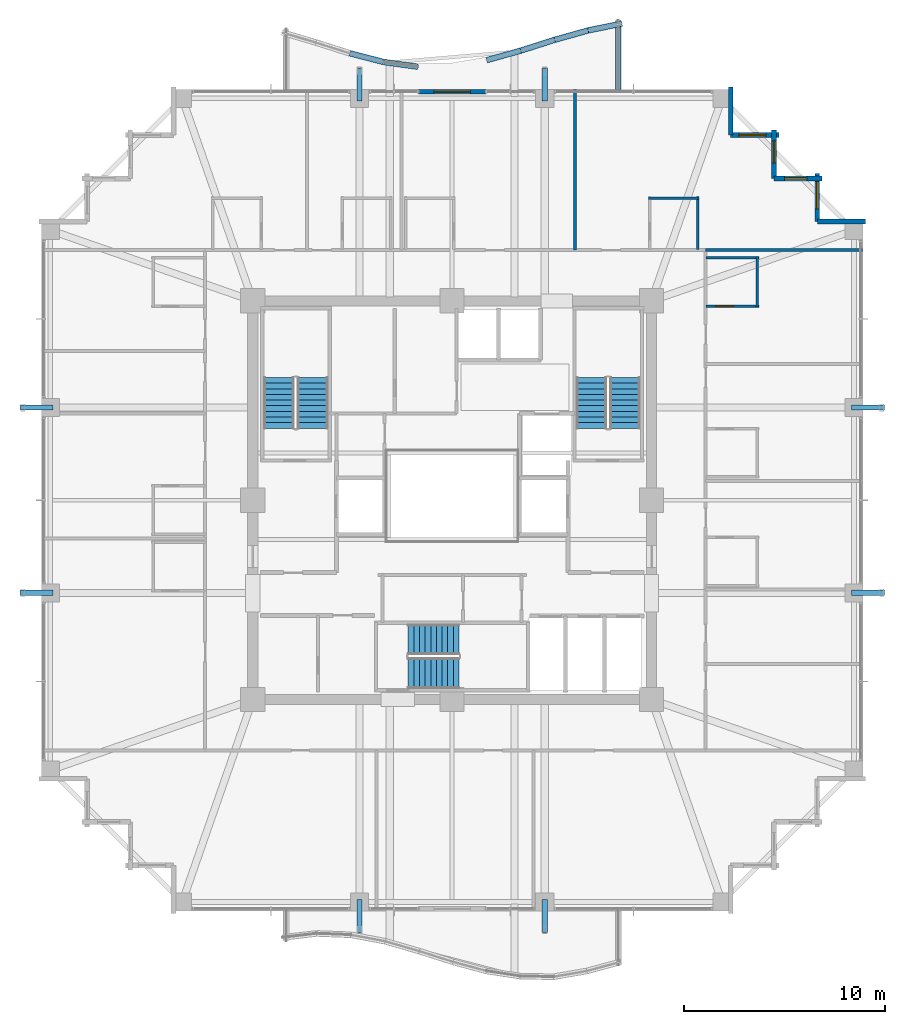
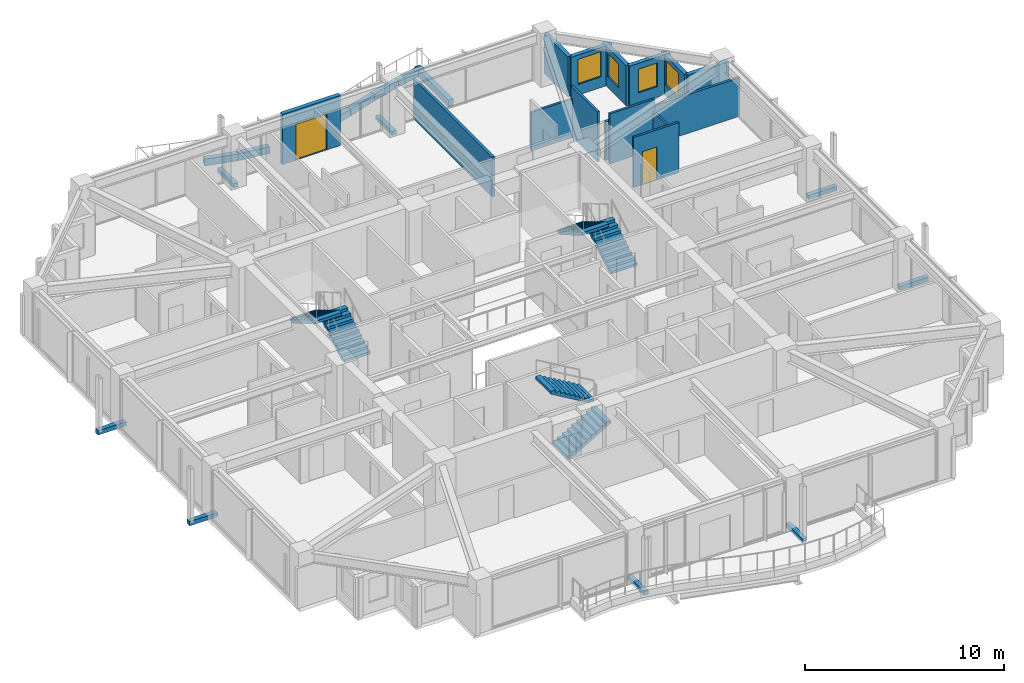
# One storey, part 35 of 37: 21 walls, 8 discrete accessories, 6 stair flights, 4 windows, 2 doors, 6 openings, 3 elements without a shape of their own.
"""IFC4 building model written with IfcOpenShell, lengths in metres."""

from ifc_helpers import new_model, si_unit, direction, frame, frame_2d, origin, origin_2d, place, context, subcontext, project, spatial, polyline, rectangle, outline, extrude, material, layer, layer_set, type_object, element, fill, aggregate, save


model = new_model("IFC4")

# Units and contexts
model_context = context("Model", 3, precision=1e-05, world=origin(), true_north=direction((0.0, 1.0)))
body_context = subcontext(model_context, "Body", "Model", "MODEL_VIEW")
ifc_project = project(units=[si_unit("LENGTHUNIT", "METRE"), si_unit("AREAUNIT", "SQUARE_METRE"), si_unit("VOLUMEUNIT", "CUBIC_METRE"), si_unit("PLANEANGLEUNIT", "RADIAN"), si_unit("MASSUNIT", "GRAM", prefix="KILO")], contexts=[model_context])

# Site, building, storey
site_placement = place(None, origin())
site = spatial("IfcSite", under=ifc_project, at=site_placement, CompositionType="ELEMENT")
building_placement = place(site_placement, origin())
building = spatial("IfcBuilding", under=site, at=building_placement, Name="Kolvaren Belvedere", CompositionType="ELEMENT")
storey_placement = place(building_placement, frame((0.0, 0.0, 180.0)))
storey = spatial("IfcBuildingStorey", under=building, at=storey_placement, Name="L52", CompositionType="ELEMENT", Elevation=180.0)

# Wall
ifc_material_1 = material(Name="Insulated pale-metal facade wall assembly", Category="aluminium")
ifc_layer_1 = layer(ifc_material_1, 0.239990234375)
ifc_layer_set_1 = layer_set([ifc_layer_1], Name="Insulated pale-metal facade wall assembly")
wall_type_1 = type_object("IfcWallType", Name="WL-EXT-240", PredefinedType="STANDARD", material=ifc_layer_set_1)
wall_1_placement = place(storey_placement, frame((18.1298828125, 13.830078125, 0.0), z_axis=(0.0, 0.0, 1.0), x_axis=(1.0, 0.0, 0.0)))
element("IfcWall", 1, at=wall_1_placement, inside=storey, type_object=wall_type_1, Name="L52 Serrated Corner Facade Wall 9", PredefinedType="STANDARD", context=body_context, shape_type="SweptSolid", body=[
    extrude(rectangle(XDim=2.39013671875, YDim=0.239990234375, at=frame_2d((1.195068359375, 0.0))), origin(), (0.0, 0.0, 1.0), 2.462890625),
])

# Wall, opening, window
wall_2_placement = place(storey_placement, frame((18.1298828125, 16.219970703125, 0.0), z_axis=(0.0, 0.0, 1.0), x_axis=(0.0, -1.0, 0.0)))
wall_2 = element("IfcWall", 2, at=wall_2_placement, inside=storey, type_object=wall_type_1, Name="L52 Serrated Corner Facade Wall 10", PredefinedType="STANDARD", context=body_context, shape_type="SweptSolid", body=[
    extrude(rectangle(XDim=2.389892578125, YDim=0.239990234375, at=frame_2d((1.19482421875, 0.0))), origin(), (0.0, 0.0, 1.0), 2.462890625),
])
opening_1_placement = place(wall_2_placement, frame((0.39990234375, 0.0, 0.64990234375)))
opening_1 = element("IfcOpeningElement", 3, at=opening_1_placement, cuts=wall_2, Name="Opening W-1350", PredefinedType="OPENING", context=body_context, shape_type="SweptSolid", body=[
    extrude(rectangle(XDim=1.35009765625, YDim=1.550048828125, at=frame_2d((0.675048828125, 0.77490234375))), frame((0.0, 0.1298828125, 0.0), z_axis=(0.0, -1.0, 0.0), x_axis=(1.0, 0.0, 0.0)), (0.0, 0.0, 1.0), 0.260009765625),
])
ifc_material_2 = material(Name="Low-iron triple insulated glass", Category="glass")
window_type_1 = type_object("IfcWindowType", Name="WN-CORN-1350", PartitioningType="SINGLE_PANEL", PredefinedType="WINDOW", material=ifc_material_2)
window_1_placement = place(opening_1_placement, origin())
window_1 = element("IfcWindow", 4, at=window_1_placement, inside=storey, type_object=window_type_1, Name="L52 Serrated Corner Vision Window 10", OverallHeight=1.550048828125, OverallWidth=1.35009765625, PartitioningType="SINGLE_PANEL", PredefinedType="WINDOW", context=body_context, shape_type="SweptSolid", body=[
    extrude(rectangle(XDim=1.35009765625, YDim=1.550048828125, at=frame_2d((0.675048828125, 0.77490234375))), frame((0.0, 0.030029296875, 0.0), z_axis=(0.0, -1.0, 0.0), x_axis=(1.0, 0.0, 0.0)), (0.0, 0.0, 1.0), 0.06005859375),
])
fill(opening_1, window_1)

wall_3_placement = place(storey_placement, frame((15.97998046875, 15.97998046875, 0.0), z_axis=(0.0, 0.0, 1.0), x_axis=(1.0, 0.0, 0.0)))
wall_3 = element("IfcWall", 5, at=wall_3_placement, inside=storey, type_object=wall_type_1, Name="L52 Serrated Corner Facade Wall 11", PredefinedType="STANDARD", context=body_context, shape_type="SweptSolid", body=[
    extrude(rectangle(XDim=2.39013671875, YDim=0.239990234375, at=frame_2d((1.195068359375, 0.0))), origin(), (0.0, 0.0, 1.0), 2.462890625),
])
opening_2_placement = place(wall_3_placement, frame((0.52490234375, 0.0, 0.64990234375)))
opening_2 = element("IfcOpeningElement", 6, at=opening_2_placement, cuts=wall_3, Name="Opening W-1100", PredefinedType="OPENING", context=body_context, shape_type="SweptSolid", body=[
    extrude(rectangle(XDim=1.10009765625, YDim=1.449951171875, at=frame_2d((0.550048828125, 0.72509765625))), frame((0.0, 0.1298828125, 0.0), z_axis=(0.0, -1.0, 0.0), x_axis=(1.0, 0.0, 0.0)), (0.0, 0.0, 1.0), 0.260009765625),
])
ifc_material_3 = material(Name="Low-iron triple insulated glass", Category="glass")
window_type_2 = type_object("IfcWindowType", Name="WN-CORN-1100", PartitioningType="SINGLE_PANEL", PredefinedType="WINDOW", material=ifc_material_3)
window_2_placement = place(opening_2_placement, origin())
window_2 = element("IfcWindow", 7, at=window_2_placement, inside=storey, type_object=window_type_2, Name="L52 Serrated Corner Vision Window 11", OverallHeight=1.449951171875, OverallWidth=1.10009765625, PartitioningType="SINGLE_PANEL", PredefinedType="WINDOW", context=body_context, shape_type="SweptSolid", body=[
    extrude(rectangle(XDim=1.10009765625, YDim=1.449951171875, at=frame_2d((0.550048828125, 0.72509765625))), frame((0.0, 0.030029296875, 0.0), z_axis=(0.0, -1.0, 0.0), x_axis=(1.0, 0.0, 0.0)), (0.0, 0.0, 1.0), 0.06005859375),
])
fill(opening_2, window_2)

wall_4_placement = place(storey_placement, frame((15.97998046875, 18.3701171875, 0.0), z_axis=(0.0, 0.0, 1.0), x_axis=(0.0, -1.0, 0.0)))
wall_4 = element("IfcWall", 8, at=wall_4_placement, inside=storey, type_object=wall_type_1, Name="L52 Serrated Corner Facade Wall 12", PredefinedType="STANDARD", context=body_context, shape_type="SweptSolid", body=[
    extrude(rectangle(XDim=2.39013671875, YDim=0.239990234375, at=frame_2d((1.195068359375, 0.0))), origin(), (0.0, 0.0, 1.0), 2.462890625),
])
opening_3_placement = place(wall_4_placement, frame((0.52490234375, 0.0, 0.64990234375)))
opening_3 = element("IfcOpeningElement", 9, at=opening_3_placement, cuts=wall_4, Name="Opening W-1100", PredefinedType="OPENING", context=body_context, shape_type="SweptSolid", body=[
    extrude(rectangle(XDim=1.10009765625, YDim=1.449951171875, at=frame_2d((0.550048828125, 0.72509765625))), frame((0.0, 0.1298828125, 0.0), z_axis=(0.0, -1.0, 0.0), x_axis=(1.0, 0.0, 0.0)), (0.0, 0.0, 1.0), 0.260009765625),
])
window_3_placement = place(opening_3_placement, origin())
window_3 = element("IfcWindow", 10, at=window_3_placement, inside=storey, type_object=window_type_2, Name="L52 Serrated Corner Vision Window 12", OverallHeight=1.449951171875, OverallWidth=1.10009765625, PartitioningType="SINGLE_PANEL", PredefinedType="WINDOW", context=body_context, shape_type="SweptSolid", body=[
    extrude(rectangle(XDim=1.10009765625, YDim=1.449951171875, at=frame_2d((0.550048828125, 0.72509765625))), frame((0.0, 0.030029296875, 0.0), z_axis=(0.0, -1.0, 0.0), x_axis=(1.0, 0.0, 0.0)), (0.0, 0.0, 1.0), 0.06005859375),
])
fill(opening_3, window_3)

wall_5_placement = place(storey_placement, frame((13.830078125, 18.1298828125, 0.0), z_axis=(0.0, 0.0, 1.0), x_axis=(1.0, 0.0, 0.0)))
wall_5 = element("IfcWall", 11, at=wall_5_placement, inside=storey, type_object=wall_type_1, Name="L52 Serrated Corner Facade Wall 13", PredefinedType="STANDARD", context=body_context, shape_type="SweptSolid", body=[
    extrude(rectangle(XDim=2.389892578125, YDim=0.239990234375, at=frame_2d((1.19482421875, 0.0))), origin(), (0.0, 0.0, 1.0), 2.462890625),
])
opening_4_placement = place(wall_5_placement, frame((0.39990234375, 0.0, 0.64990234375)))
opening_4 = element("IfcOpeningElement", 12, at=opening_4_placement, cuts=wall_5, Name="Opening W-1350", PredefinedType="OPENING", context=body_context, shape_type="SweptSolid", body=[
    extrude(rectangle(XDim=1.35009765625, YDim=1.550048828125, at=frame_2d((0.675048828125, 0.77490234375))), frame((0.0, 0.1298828125, 0.0), z_axis=(0.0, -1.0, 0.0), x_axis=(1.0, 0.0, 0.0)), (0.0, 0.0, 1.0), 0.260009765625),
])
window_4_placement = place(opening_4_placement, origin())
window_4 = element("IfcWindow", 13, at=window_4_placement, inside=storey, type_object=window_type_1, Name="L52 Serrated Corner Vision Window 13", OverallHeight=1.550048828125, OverallWidth=1.35009765625, PartitioningType="SINGLE_PANEL", PredefinedType="WINDOW", context=body_context, shape_type="SweptSolid", body=[
    extrude(rectangle(XDim=1.35009765625, YDim=1.550048828125, at=frame_2d((0.675048828125, 0.77490234375))), frame((0.0, 0.030029296875, 0.0), z_axis=(0.0, -1.0, 0.0), x_axis=(1.0, 0.0, 0.0)), (0.0, 0.0, 1.0), 0.06005859375),
])
fill(opening_4, window_4)

# Wall
wall_6_placement = place(storey_placement, frame((13.830078125, 20.52001953125, 0.0), z_axis=(0.0, 0.0, 1.0), x_axis=(0.0, -1.0, 0.0)))
element("IfcWall", 14, at=wall_6_placement, inside=storey, type_object=wall_type_1, Name="L52 Serrated Corner Facade Wall 14", PredefinedType="STANDARD", context=body_context, shape_type="SweptSolid", body=[
    extrude(rectangle(XDim=2.39013671875, YDim=0.239990234375, at=frame_2d((1.195068359375, 0.0))), origin(), (0.0, 0.0, 1.0), 2.462890625),
])

# Wall, opening, door
wall_7_placement = place(storey_placement, frame((-1.679931640625, 20.280029296875, 0.0), z_axis=(0.0, 0.0, 1.0), x_axis=(1.0, 0.0, 0.0)))
wall_7 = element("IfcWall", 15, at=wall_7_placement, inside=storey, type_object=wall_type_1, Name="L52 North Terrace Portal Wall", PredefinedType="STANDARD", context=body_context, shape_type="SweptSolid", body=[
    extrude(rectangle(XDim=3.35986328125, YDim=0.239990234375, at=frame_2d((1.679931640625, 0.0))), origin(), (0.0, 0.0, 1.0), 3.080078125),
])
opening_5_placement = place(wall_7_placement, frame((0.780029296875, 0.0, 0.0)))
opening_5 = element("IfcOpeningElement", 16, at=opening_5_placement, cuts=wall_7, Name="Opening DB-1800", PredefinedType="OPENING", context=body_context, shape_type="SweptSolid", body=[
    extrude(rectangle(XDim=1.800048828125, YDim=2.199951171875, at=frame_2d((0.89990234375, 1.10009765625))), frame((0.0, 0.1298828125, 0.0), z_axis=(0.0, -1.0, 0.0), x_axis=(1.0, 0.0, 0.0)), (0.0, 0.0, 1.0), 0.260009765625),
])
ifc_material_4 = material(Name="Thermally broken pale-metal aluminium & low-iron glass", Category="aluminium")
door_type_1 = type_object("IfcDoorType", Name="DR-BAL-1800", OperationType="DOUBLE_DOOR_SLIDING", PredefinedType="DOOR", material=ifc_material_4)
door_1_placement = place(opening_5_placement, origin())
door_1 = element("IfcDoor", 17, at=door_1_placement, inside=storey, type_object=door_type_1, Name="L52 North Planted Terrace Sliding Door", OperationType="DOUBLE_DOOR_SLIDING", OverallHeight=2.199951171875, OverallWidth=1.800048828125, PredefinedType="DOOR", context=body_context, shape_type="SweptSolid", body=[
    extrude(rectangle(XDim=1.800048828125, YDim=2.199951171875, at=frame_2d((0.89990234375, 1.10009765625))), frame((0.0, 0.02490234375, 0.0), z_axis=(0.0, -1.0, 0.0), x_axis=(1.0, 0.0, 0.0)), (0.0, 0.0, 1.0), 0.050048828125),
])
fill(opening_5, door_1)

# Walls
ifc_material_5 = material(Name="Gypsum acoustic partition assembly", Category="gypsum")
ifc_layer_2 = layer(ifc_material_5, 0.14990234375)
ifc_layer_set_2 = layer_set([ifc_layer_2], Name="Gypsum acoustic partition assembly")
wall_type_2 = type_object("IfcWallType", Name="WL-PART-150", PredefinedType="PARTITIONING", material=ifc_layer_set_2)
wall_8_placement = place(storey_placement, frame((12.580078125, 12.419921875, 0.0), z_axis=(0.0, 0.0, 1.0), x_axis=(1.0, 0.0, 0.0)))
element("IfcWall", 18, at=wall_8_placement, inside=storey, type_object=wall_type_2, Name="L52 Wing Divider PW-L52-QNE", PredefinedType="PARTITIONING", context=body_context, shape_type="SweptSolid", body=[
    extrude(rectangle(XDim=7.7998046875, YDim=0.14990234375, at=frame_2d((3.89990234375, 0.0))), origin(), (0.0, 0.0, 1.0), 2.368896484375),
])
wall_9_placement = place(storey_placement, frame((6.095947265625, 12.419921875, 0.0), z_axis=(0.0, 0.0, 1.0), x_axis=(0.0, 1.0, 0.0)))
element("IfcWall", 19, at=wall_9_placement, inside=storey, type_object=wall_type_2, Name="L52 North Suite Demising Wall 3", PredefinedType="PARTITIONING", context=body_context, shape_type="SweptSolid", body=[
    extrude(rectangle(XDim=7.9599609375, YDim=0.14990234375, at=frame_2d((3.97998046875, 0.0))), origin(), (0.0, 0.0, 1.0), 2.452880859375),
])
ifc_material_6 = material(Name="Precast concrete C40/50", Category="concrete")
ifc_layer_3 = layer(ifc_material_6, 0.300048828125)
ifc_layer_set_3 = layer_set([ifc_layer_3], Name="Precast concrete C40/50")
wall_type_3 = type_object("IfcWallType", Name="WL-PLANTER-300", PredefinedType="PARAPET", material=ifc_layer_set_3)
wall_10_placement = place(storey_placement, frame((8.239990234375, 20.39990234375, -0.0400390625), z_axis=(0.0, 0.0, 1.0), x_axis=(0.0, 1.0, 0.0)))
element("IfcWall", 20, at=wall_10_placement, inside=storey, type_object=wall_type_3, Name="L52 Precast Structural Planter Wall BAL-N-11", PredefinedType="PARAPET", context=body_context, shape_type="SweptSolid", body=[
    extrude(rectangle(XDim=3.420166015625, YDim=0.280029296875, at=frame_2d((1.7099609375, 0.0))), origin(), (0.0, 0.0, 1.0), 0.419921875),
])
wall_11_placement = place(storey_placement, frame((8.431884765625, 23.6630859375, -0.0400390625), z_axis=(0.0, 0.0, 1.0), x_axis=(-0.980067977123, -0.198662427795, 0.0)))
element("IfcWall", 21, at=wall_11_placement, inside=storey, type_object=wall_type_3, Name="L52 Precast Structural Planter Wall BAL-N-12", PredefinedType="PARAPET", context=body_context, shape_type="SweptSolid", body=[
    extrude(rectangle(XDim=1.71435546875, YDim=0.280029296875, at=frame_2d((0.857177734375, 0.0))), origin(), (0.0, 0.0, 1.0), 0.419921875),
])
wall_12_placement = place(storey_placement, frame((6.76318359375, 23.3251953125, -0.0400390625), z_axis=(0.0, 0.0, 1.0), x_axis=(-0.962916043401, -0.269801210823, 0.0)))
element("IfcWall", 22, at=wall_12_placement, inside=storey, type_object=wall_type_3, Name="L52 Precast Structural Planter Wall BAL-N-13", PredefinedType="PARAPET", context=body_context, shape_type="SweptSolid", body=[
    extrude(rectangle(XDim=1.74462890625, YDim=0.280029296875, at=frame_2d((0.872314453125, 0.0))), origin(), (0.0, 0.0, 1.0), 0.419921875),
])
wall_13_placement = place(storey_placement, frame((5.088623046875, 22.856201171875, -0.0400390625), z_axis=(0.0, 0.0, 1.0), x_axis=(-0.952501264923, -0.304534629099, 0.0)))
element("IfcWall", 23, at=wall_13_placement, inside=storey, type_object=wall_type_3, Name="L52 Precast Structural Planter Wall BAL-N-14", PredefinedType="PARAPET", context=body_context, shape_type="SweptSolid", body=[
    extrude(rectangle(XDim=1.763671875, YDim=0.280029296875, at=frame_2d((0.8818359375, 0.0))), origin(), (0.0, 0.0, 1.0), 0.419921875),
])
wall_14_placement = place(storey_placement, frame((3.4033203125, 22.3173828125, -0.0400390625), z_axis=(0.0, 0.0, 1.0), x_axis=(-0.962926227834, -0.269764860108, 0.0)))
element("IfcWall", 24, at=wall_14_placement, inside=storey, type_object=wall_type_3, Name="L52 Precast Structural Planter Wall BAL-N-15", PredefinedType="PARAPET", context=body_context, shape_type="SweptSolid", body=[
    extrude(rectangle(XDim=1.744873046875, YDim=0.280029296875, at=frame_2d((0.87255859375, 0.0))), origin(), (0.0, 0.0, 1.0), 0.419921875),
])
wall_15_placement = place(storey_placement, frame((-1.70166015625, 21.5205078125, -0.0400390625), z_axis=(0.0, 0.0, 1.0), x_axis=(-0.990855562068, 0.134926850989, 0.0)))
element("IfcWall", 25, at=wall_15_placement, inside=storey, type_object=wall_type_3, Name="L52 Precast Structural Planter Wall BAL-N-18", PredefinedType="PARAPET", context=body_context, shape_type="SweptSolid", body=[
    extrude(rectangle(XDim=1.695556640625, YDim=0.280029296875, at=frame_2d((0.84765625, 0.0))), origin(), (0.0, 0.0, 1.0), 0.419921875),
])
wall_16_placement = place(storey_placement, frame((-3.400146484375, 21.7529296875, -0.0400390625), z_axis=(0.0, 0.0, 1.0), x_axis=(-0.968132209145, 0.250439664624, 0.0)))
element("IfcWall", 26, at=wall_16_placement, inside=storey, type_object=wall_type_3, Name="L52 Precast Structural Planter Wall BAL-N-19", PredefinedType="PARAPET", context=body_context, shape_type="SweptSolid", body=[
    extrude(rectangle(XDim=1.7353515625, YDim=0.280029296875, at=frame_2d((0.86767578125, 0.0))), origin(), (0.0, 0.0, 1.0), 0.419921875),
])

# Wall, opening, door
ifc_material_7 = material(Name="Moisture-resistant gypsum partition", Category="gypsum")
ifc_layer_4 = layer(ifc_material_7, 0.125)
ifc_layer_set_4 = layer_set([ifc_layer_4], Name="Moisture-resistant gypsum partition")
wall_type_4 = type_object("IfcWallType", Name="WL-WET-125", PredefinedType="PARTITIONING", material=ifc_layer_set_4)
wall_17_placement = place(storey_placement, frame((12.594970703125, 9.64111328125, 0.0), z_axis=(0.0, 0.0, 1.0), x_axis=(1.0, 0.0, 0.0)))
wall_17 = element("IfcWall", 27, at=wall_17_placement, inside=storey, type_object=wall_type_4, Name="L52 Bathroom Partition PW-L52-BTH-8-N", PredefinedType="PARTITIONING", context=body_context, shape_type="SweptSolid", body=[
    extrude(rectangle(XDim=2.64013671875, YDim=0.125, at=frame_2d((1.320068359375, 0.0))), origin(), (0.0, 0.0, 1.0), 3.080078125),
])
opening_6_placement = place(wall_17_placement, frame((0.5, 0.0, 0.0)))
opening_6 = element("IfcOpeningElement", 28, at=opening_6_placement, cuts=wall_17, Name="Opening D-BTH85", PredefinedType="OPENING", context=body_context, shape_type="SweptSolid", body=[
    extrude(rectangle(XDim=0.85009765625, YDim=2.030029296875, at=frame_2d((0.425048828125, 1.01513671875))), frame((0.0, 0.072509765625, 0.0), z_axis=(0.0, -1.0, 0.0), x_axis=(1.0, 0.0, 0.0)), (0.0, 0.0, 1.0), 0.14501953125),
])
ifc_material_8 = material(Name="Moisture-sealed Pacific white oak", Category="timber")
door_type_2 = type_object("IfcDoorType", Name="DR-BATH-850", OperationType="NOTDEFINED", PredefinedType="DOOR", material=ifc_material_8)
door_2_placement = place(opening_6_placement, origin())
door_2 = element("IfcDoor", 29, at=door_2_placement, inside=storey, type_object=door_type_2, Name="L52 En-Suite Bathroom 5208 Door", OperationType="SINGLE_SWING_LEFT", OverallHeight=2.030029296875, OverallWidth=0.85009765625, PredefinedType="DOOR", context=body_context, shape_type="SweptSolid", body=[
    extrude(rectangle(XDim=0.85009765625, YDim=2.030029296875, at=frame_2d((0.425048828125, 1.01513671875))), frame((0.0, 0.02490234375, 0.0), z_axis=(0.0, -1.0, 0.0), x_axis=(1.0, 0.0, 0.0)), (0.0, 0.0, 1.0), 0.050048828125),
])
fill(opening_6, door_2)

# Walls
wall_18_placement = place(storey_placement, frame((15.155029296875, 9.5810546875, 0.0), z_axis=(0.0, 0.0, 1.0), x_axis=(0.0, 1.0, 0.0)))
element("IfcWall", 30, at=wall_18_placement, inside=storey, type_object=wall_type_4, Name="L52 Bathroom Partition PW-L52-BTH-8-V", PredefinedType="PARTITIONING", context=body_context, shape_type="SweptSolid", body=[
    extrude(rectangle(XDim=2.52001953125, YDim=0.125, at=frame_2d((1.260009765625, 0.0))), origin(), (0.0, 0.0, 1.0), 2.368896484375),
])
wall_19_placement = place(storey_placement, frame((12.594970703125, 12.041015625, 0.0), z_axis=(0.0, 0.0, 1.0), x_axis=(1.0, 0.0, 0.0)))
element("IfcWall", 31, at=wall_19_placement, inside=storey, type_object=wall_type_4, Name="L52 Bathroom Partition PW-L52-BTH-8-S", PredefinedType="PARTITIONING", context=body_context, shape_type="SweptSolid", body=[
    extrude(rectangle(XDim=2.64013671875, YDim=0.125, at=frame_2d((1.320068359375, 0.0))), origin(), (0.0, 0.0, 1.0), 3.080078125),
])
wall_20_placement = place(storey_placement, frame((9.740966796875, 14.9951171875, 0.0), z_axis=(0.0, 0.0, 1.0), x_axis=(1.0, 0.0, 0.0)))
element("IfcWall", 32, at=wall_20_placement, inside=storey, type_object=wall_type_4, Name="L52 Bathroom Partition PW-L52-BTH-16-H", PredefinedType="PARTITIONING", context=body_context, shape_type="SweptSolid", body=[
    extrude(rectangle(XDim=2.52001953125, YDim=0.125, at=frame_2d((1.260009765625, 0.0))), origin(), (0.0, 0.0, 1.0), 2.368896484375),
])
wall_21_placement = place(storey_placement, frame((12.200927734375, 12.43505859375, 0.0), z_axis=(0.0, 0.0, 1.0), x_axis=(0.0, 1.0, 0.0)))
element("IfcWall", 33, at=wall_21_placement, inside=storey, type_object=wall_type_4, Name="L52 Bathroom Partition PW-L52-BTH-16-W", PredefinedType="PARTITIONING", context=body_context, shape_type="SweptSolid", body=[
    extrude(rectangle(XDim=2.639892578125, YDim=0.125, at=frame_2d((1.31982421875, 0.0))), origin(), (0.0, 0.0, 1.0), 3.080078125),
])

# Stair, stair flights
ifc_material_9 = material(Name="Concrete C50/60", Category="concrete")
stair_type = type_object("IfcStairType", Name="ST-CORE-1520", PredefinedType="HALF_TURN_STAIR", material=ifc_material_9)
stair_1_placement = place(storey_placement, origin())
stair_1 = element("IfcStair", 34, at=stair_1_placement, inside=storey, type_object=stair_type, Name="L52 Protected Exit Stair ST-1", PredefinedType="HALF_TURN_STAIR")
ifc_material_10 = material(Name="Concrete C50/60", Category="concrete")
stair_flight_type = type_object("IfcStairFlightType", Name="SF-STR-1520", PredefinedType="STRAIGHT", material=ifc_material_10)
stair_flight_1_placement = place(storey_placement, frame((-6.919921875, 3.570068359375, 0.0), z_axis=(0.0, 0.0, 1.0), x_axis=(0.0, 1.0, 0.0)))
stair_flight_1 = element("IfcStairFlight", 35, at=stair_flight_1_placement, type_object=stair_flight_type, Name="ST-1 flight 1", NumberOfRisers=10, NumberOfTreads=9, PredefinedType="STRAIGHT", RiserHeight=0.165, TreadLength=0.28, context=body_context, shape_type="SweptSolid", body=[
    extrude(outline(polyline([(0.0, 0.0), (0.0, 0.1650390625), (0.280029296875, 0.1650390625), (0.280029296875, 0.330078125), (0.56005859375, 0.330078125), (0.56005859375, 0.4951171875), (0.840087890625, 0.4951171875), (0.840087890625, 0.659912109375), (1.1201171875, 0.659912109375), (1.1201171875, 0.824951171875), (1.39990234375, 0.824951171875), (1.39990234375, 0.989990234375), (1.679931640625, 0.989990234375), (1.679931640625, 1.155029296875), (1.9599609375, 1.155029296875), (1.9599609375, 1.320068359375), (2.239990234375, 1.320068359375), (2.239990234375, 1.485107421875), (2.52001953125, 1.485107421875), (2.52001953125, 1.64990234375), (2.52001953125, 1.31103515625), (0.295166015625, 0.0), (0.0, 0.0)])), frame((0.0, 0.760009765625, 0.0), z_axis=(0.0, -1.0, 0.0), x_axis=(1.0, 0.0, 0.0)), (0.0, 0.0, 1.0), 1.52001953125),
])
stair_flight_2_placement = place(storey_placement, frame((-8.590087890625, 6.090087890625, 1.64990234375), z_axis=(0.0, 0.0, 1.0), x_axis=(0.0, -1.0, 0.0)))
stair_flight_2 = element("IfcStairFlight", 36, at=stair_flight_2_placement, type_object=stair_flight_type, Name="ST-1 flight 2", NumberOfRisers=10, NumberOfTreads=9, PredefinedType="STRAIGHT", RiserHeight=0.165, TreadLength=0.28, context=body_context, shape_type="SweptSolid", body=[
    extrude(outline(polyline([(0.0, 0.0), (0.0, 0.1650390625), (0.280029296875, 0.1650390625), (0.280029296875, 0.330078125), (0.56005859375, 0.330078125), (0.56005859375, 0.4951171875), (0.840087890625, 0.4951171875), (0.840087890625, 0.659912109375), (1.1201171875, 0.659912109375), (1.1201171875, 0.824951171875), (1.39990234375, 0.824951171875), (1.39990234375, 0.989990234375), (1.679931640625, 0.989990234375), (1.679931640625, 1.155029296875), (1.9599609375, 1.155029296875), (1.9599609375, 1.320068359375), (2.239990234375, 1.320068359375), (2.239990234375, 1.485107421875), (2.52001953125, 1.485107421875), (2.52001953125, 1.64990234375), (2.52001953125, 1.31103515625), (0.295166015625, 0.0), (0.0, 0.0)])), frame((0.0, 0.760009765625, 0.0), z_axis=(0.0, -1.0, 0.0), x_axis=(1.0, 0.0, 0.0)), (0.0, 0.0, 1.0), 1.52001953125),
])
aggregate(stair_1, [stair_flight_1, stair_flight_2])

stair_2_placement = place(storey_placement, origin())
stair_2 = element("IfcStair", 37, at=stair_2_placement, inside=storey, type_object=stair_type, Name="L52 Protected Exit Stair ST-2", PredefinedType="HALF_TURN_STAIR")
stair_flight_3_placement = place(storey_placement, frame((8.590087890625, 3.570068359375, 0.0), z_axis=(0.0, 0.0, 1.0), x_axis=(0.0, 1.0, 0.0)))
stair_flight_3 = element("IfcStairFlight", 38, at=stair_flight_3_placement, type_object=stair_flight_type, Name="ST-2 flight 1", NumberOfRisers=10, NumberOfTreads=9, PredefinedType="STRAIGHT", RiserHeight=0.165, TreadLength=0.28, context=body_context, shape_type="SweptSolid", body=[
    extrude(outline(polyline([(0.0, 0.0), (0.0, 0.1650390625), (0.280029296875, 0.1650390625), (0.280029296875, 0.330078125), (0.56005859375, 0.330078125), (0.56005859375, 0.4951171875), (0.840087890625, 0.4951171875), (0.840087890625, 0.659912109375), (1.1201171875, 0.659912109375), (1.1201171875, 0.824951171875), (1.39990234375, 0.824951171875), (1.39990234375, 0.989990234375), (1.679931640625, 0.989990234375), (1.679931640625, 1.155029296875), (1.9599609375, 1.155029296875), (1.9599609375, 1.320068359375), (2.239990234375, 1.320068359375), (2.239990234375, 1.485107421875), (2.52001953125, 1.485107421875), (2.52001953125, 1.64990234375), (2.52001953125, 1.31103515625), (0.295166015625, 0.0), (0.0, 0.0)])), frame((0.0, 0.760009765625, 0.0), z_axis=(0.0, -1.0, 0.0), x_axis=(1.0, 0.0, 0.0)), (0.0, 0.0, 1.0), 1.52001953125),
])
stair_flight_4_placement = place(storey_placement, frame((6.919921875, 6.090087890625, 1.64990234375), z_axis=(0.0, 0.0, 1.0), x_axis=(0.0, -1.0, 0.0)))
stair_flight_4 = element("IfcStairFlight", 39, at=stair_flight_4_placement, type_object=stair_flight_type, Name="ST-2 flight 2", NumberOfRisers=10, NumberOfTreads=9, PredefinedType="STRAIGHT", RiserHeight=0.165, TreadLength=0.28, context=body_context, shape_type="SweptSolid", body=[
    extrude(outline(polyline([(0.0, 0.0), (0.0, 0.1650390625), (0.280029296875, 0.1650390625), (0.280029296875, 0.330078125), (0.56005859375, 0.330078125), (0.56005859375, 0.4951171875), (0.840087890625, 0.4951171875), (0.840087890625, 0.659912109375), (1.1201171875, 0.659912109375), (1.1201171875, 0.824951171875), (1.39990234375, 0.824951171875), (1.39990234375, 0.989990234375), (1.679931640625, 0.989990234375), (1.679931640625, 1.155029296875), (1.9599609375, 1.155029296875), (1.9599609375, 1.320068359375), (2.239990234375, 1.320068359375), (2.239990234375, 1.485107421875), (2.52001953125, 1.485107421875), (2.52001953125, 1.64990234375), (2.52001953125, 1.31103515625), (0.295166015625, 0.0), (0.0, 0.0)])), frame((0.0, 0.760009765625, 0.0), z_axis=(0.0, -1.0, 0.0), x_axis=(1.0, 0.0, 0.0)), (0.0, 0.0, 1.0), 1.52001953125),
])
aggregate(stair_2, [stair_flight_3, stair_flight_4])

stair_3_placement = place(storey_placement, origin())
stair_3 = element("IfcStair", 40, at=stair_3_placement, inside=storey, type_object=stair_type, Name="L52 Protected Exit Stair ST-3", PredefinedType="HALF_TURN_STAIR")
stair_flight_5_placement = place(storey_placement, frame((-2.179931640625, -8.590087890625, 0.0), z_axis=(0.0, 0.0, 1.0), x_axis=(1.0, 0.0, 0.0)))
stair_flight_5 = element("IfcStairFlight", 41, at=stair_flight_5_placement, type_object=stair_flight_type, Name="ST-3 flight 1", NumberOfRisers=10, NumberOfTreads=9, PredefinedType="STRAIGHT", RiserHeight=0.165, TreadLength=0.28, context=body_context, shape_type="SweptSolid", body=[
    extrude(outline(polyline([(0.0, 0.0), (0.0, 0.1650390625), (0.280029296875, 0.1650390625), (0.280029296875, 0.330078125), (0.56005859375, 0.330078125), (0.56005859375, 0.4951171875), (0.840087890625, 0.4951171875), (0.840087890625, 0.659912109375), (1.1201171875, 0.659912109375), (1.1201171875, 0.824951171875), (1.39990234375, 0.824951171875), (1.39990234375, 0.989990234375), (1.679931640625, 0.989990234375), (1.679931640625, 1.155029296875), (1.9599609375, 1.155029296875), (1.9599609375, 1.320068359375), (2.239990234375, 1.320068359375), (2.239990234375, 1.485107421875), (2.52001953125, 1.485107421875), (2.52001953125, 1.64990234375), (2.52001953125, 1.31103515625), (0.295166015625, 0.0), (0.0, 0.0)])), frame((0.0, 0.760009765625, 0.0), z_axis=(0.0, -1.0, 0.0), x_axis=(1.0, 0.0, 0.0)), (0.0, 0.0, 1.0), 1.52001953125),
])
stair_flight_6_placement = place(storey_placement, frame((0.340087890625, -6.919921875, 1.64990234375), z_axis=(0.0, 0.0, 1.0), x_axis=(-1.0, 0.0, 0.0)))
stair_flight_6 = element("IfcStairFlight", 42, at=stair_flight_6_placement, type_object=stair_flight_type, Name="ST-3 flight 2", NumberOfRisers=10, NumberOfTreads=9, PredefinedType="STRAIGHT", RiserHeight=0.165, TreadLength=0.28, context=body_context, shape_type="SweptSolid", body=[
    extrude(outline(polyline([(0.0, 0.0), (0.0, 0.1650390625), (0.280029296875, 0.1650390625), (0.280029296875, 0.330078125), (0.56005859375, 0.330078125), (0.56005859375, 0.4951171875), (0.840087890625, 0.4951171875), (0.840087890625, 0.659912109375), (1.1201171875, 0.659912109375), (1.1201171875, 0.824951171875), (1.39990234375, 0.824951171875), (1.39990234375, 0.989990234375), (1.679931640625, 0.989990234375), (1.679931640625, 1.155029296875), (1.9599609375, 1.155029296875), (1.9599609375, 1.320068359375), (2.239990234375, 1.320068359375), (2.239990234375, 1.485107421875), (2.52001953125, 1.485107421875), (2.52001953125, 1.64990234375), (2.52001953125, 1.31103515625), (0.295166015625, 0.0), (0.0, 0.0)])), frame((0.0, 0.760009765625, 0.0), z_axis=(0.0, -1.0, 0.0), x_axis=(1.0, 0.0, 0.0)), (0.0, 0.0, 1.0), 1.52001953125),
])
aggregate(stair_3, [stair_flight_5, stair_flight_6])

# Discrete accessories
ifc_material_11 = material(Name="Structural steel ASTM A572 Grade 50", Category="steel")
discrete_accessory_type = type_object("IfcDiscreteAccessoryType", Name="BRK-1 Steel Facade Support Bracket", PredefinedType="BRACKET", material=ifc_material_11)
for number, where, z_axis, x_axis, name in (
    (43, (-4.60009765625, 20.635009765625, -0.169921875), (0.0, 0.0, 1.0), (0.0, 1.0, 0.0), "L52 Picture-Frame Outrigger Cleat Bracket N1"),
    (44, (4.60009765625, 20.635009765625, -0.169921875), (0.0, 0.0, 1.0), (0.0, 1.0, 0.0), "L52 Picture-Frame Outrigger Cleat Bracket N2"),
    (45, (4.60009765625, -20.635009765625, -0.169921875), (0.0, 0.0, 1.0), (0.0, 1.0, 0.0), "L52 Picture-Frame Outrigger Cleat Bracket S1"),
    (46, (-4.60009765625, -20.635009765625, -0.169921875), (0.0, 0.0, 1.0), (0.0, 1.0, 0.0), "L52 Picture-Frame Outrigger Cleat Bracket S2"),
    (47, (20.635009765625, 4.60009765625, -0.169921875), (0.0, 0.0, 1.0), (1.0, 0.0, 0.0), "L52 Picture-Frame Outrigger Cleat Bracket E1"),
    (48, (20.635009765625, -4.60009765625, -0.169921875), (0.0, 0.0, 1.0), (1.0, 0.0, 0.0), "L52 Picture-Frame Outrigger Cleat Bracket E2"),
    (49, (-20.635009765625, -4.60009765625, -0.169921875), (0.0, 0.0, 1.0), (1.0, 0.0, 0.0), "L52 Picture-Frame Outrigger Cleat Bracket W1"),
    (50, (-20.635009765625, 4.60009765625, -0.169921875), (0.0, 0.0, 1.0), (1.0, 0.0, 0.0), "L52 Picture-Frame Outrigger Cleat Bracket W2"),
):
    element("IfcDiscreteAccessory", number, at=place(storey_placement, frame(where, z_axis=z_axis, x_axis=x_axis)), inside=storey, type_object=discrete_accessory_type, Name=name, PredefinedType="BRACKET", context=body_context, shape_type="SweptSolid", body=[
        extrude(rectangle(XDim=1.639892578125, YDim=0.260009765625, at=origin_2d()), origin(), (0.0, 0.0, 1.0), 0.260009765625),
    ])

save(model, "model.ifc")
